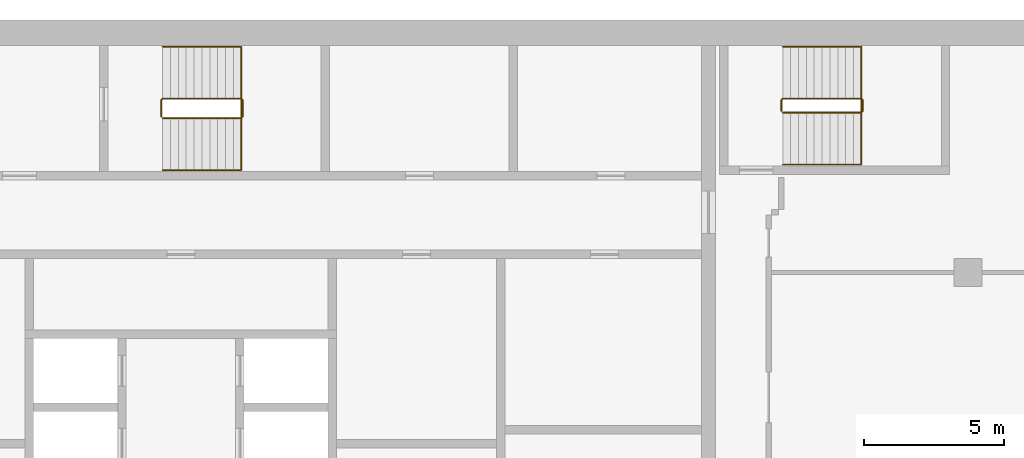
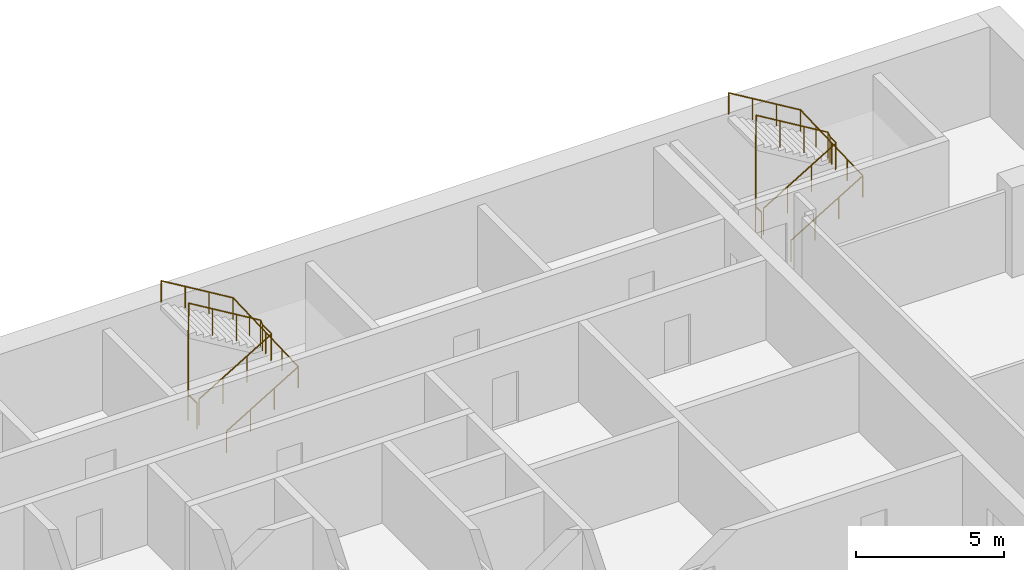
# One storey, part 16 of 16: 4 railings.
"""IFC4 building model written with IfcOpenShell, lengths in metres."""

from ifc_helpers import new_model, si_unit, direction, frame, origin, origin_2d, place, context, subcontext, project, spatial, circle, extrude, material, type_object, element, save


model = new_model("IFC4")

# Units and contexts
model_context = context("Model", 3, precision=1e-05, world=origin(), true_north=direction((0.0, 1.0)))
body_context = subcontext(model_context, "Body", "Model", "MODEL_VIEW")
ifc_project = project(units=[si_unit("LENGTHUNIT", "METRE"), si_unit("AREAUNIT", "SQUARE_METRE"), si_unit("VOLUMEUNIT", "CUBIC_METRE"), si_unit("PLANEANGLEUNIT", "RADIAN"), si_unit("MASSUNIT", "GRAM", prefix="KILO")], contexts=[model_context])

# Site, building, storey
site_placement = place(None, origin())
site = spatial("IfcSite", under=ifc_project, at=site_placement, CompositionType="ELEMENT")
building_placement = place(site_placement, origin())
building = spatial("IfcBuilding", under=site, at=building_placement, Name="Hunhe Ridgeline Campus", CompositionType="ELEMENT")
storey_placement = place(building_placement, frame((0.0, 0.0, 235.5)))
storey = spatial("IfcBuildingStorey", under=building, at=storey_placement, Name="L60", CompositionType="ELEMENT", Elevation=235.5)

# Railings
ifc_material_1 = material(Name="Stainless steel balustrade", Category="steel")
railing_type_1 = type_object("IfcRailingType", Name="Stair guard 1100 stainless", PredefinedType="GUARDRAIL", material=ifc_material_1)
railing_1_placement = place(storey_placement, frame((16.300048828125, 95.5, 0.168212890625)))
element("IfcRailing", 1, at=railing_1_placement, inside=storey, type_object=railing_type_1, Name="L60 stair S1 guard", PredefinedType="GUARDRAIL", context=body_context, shape_type="SweptSolid", body=[
    extrude(circle(Radius=0.02392578125, at=origin_2d()), frame((0.0, 0.0, 1.076171875), z_axis=(0.857242210791, 0.0, 0.514913383045), x_axis=(0.0, 1.0, 0.0)), (0.0, 0.0, 1.0), 3.266357421875),
    extrude(circle(Radius=0.02392578125, at=origin_2d()), frame((2.800048828125, 0.0, 2.7578125), z_axis=(0.705375805398, 0.708833529934, 0.0), x_axis=(-0.708833529934, 0.705375805398, 0.0)), (0.0, 0.0, 1.0), 0.070556640625),
    extrude(circle(Radius=0.02392578125, at=origin_2d()), frame((2.849853515625, 0.050048828125, 2.7578125), z_axis=(0.0, 1.0, 0.0), x_axis=(-1.0, 0.0, 0.0)), (0.0, 0.0, 1.0), 0.599853515625),
    extrude(circle(Radius=0.02392578125, at=origin_2d()), frame((2.849853515625, 0.64990234375, 2.7578125), z_axis=(-0.273343290215, 0.274683208305, 0.921863645432), x_axis=(-0.708833529934, -0.705375805398, 0.0)), (0.0, 0.0, 1.0), 0.18212890625),
    extrude(circle(Radius=0.02392578125, at=origin_2d()), frame((2.800048828125, 0.699951171875, 2.92578125), z_axis=(-0.857242210791, 0.0, 0.514913383045), x_axis=(0.0, -1.0, 0.0)), (0.0, 0.0, 1.0), 3.266357421875),
    extrude(circle(Radius=0.02392578125, at=origin_2d()), frame((0.0, 0.699951171875, 4.60791015625), z_axis=(-0.013524414389, -0.013524414389, -0.999817073484), x_axis=(0.707106781187, -0.707106781187, 0.0)), (0.0, 0.0, 1.0), 3.70068359375),
    extrude(circle(Radius=0.02392578125, at=origin_2d()), frame((-0.050048828125, 0.64990234375, 0.90771484375), z_axis=(0.0, -1.0, 0.0), x_axis=(1.0, 0.0, 0.0)), (0.0, 0.0, 1.0), 0.599853515625),
    extrude(circle(Radius=0.02099609375, at=origin_2d()), origin(), (0.0, 0.0, 1.0), 1.052001953125),
    extrude(circle(Radius=0.02099609375, at=origin_2d()), frame((0.933349609375, 0.0, 0.560546875)), (0.0, 0.0, 1.0), 1.052001953125),
    extrude(circle(Radius=0.02099609375, at=origin_2d()), frame((1.86669921875, 0.0, 1.121337890625)), (0.0, 0.0, 1.0), 1.052001953125),
    extrude(circle(Radius=0.02099609375, at=origin_2d()), frame((2.800048828125, 0.0, 1.681884765625)), (0.0, 0.0, 1.0), 1.052001953125),
    extrude(circle(Radius=0.02099609375, at=origin_2d()), frame((2.849853515625, 0.050048828125, 1.681884765625)), (0.0, 0.0, 1.0), 1.052001953125),
    extrude(circle(Radius=0.02099609375, at=origin_2d()), frame((2.849853515625, 0.64990234375, 1.681884765625)), (0.0, 0.0, 1.0), 1.052001953125),
    extrude(circle(Radius=0.02099609375, at=origin_2d()), frame((2.800048828125, 0.699951171875, 1.849853515625)), (0.0, 0.0, 1.0), 1.052001953125),
    extrude(circle(Radius=0.02099609375, at=origin_2d()), frame((1.86669921875, 0.699951171875, 2.410400390625)), (0.0, 0.0, 1.0), 1.052001953125),
    extrude(circle(Radius=0.02099609375, at=origin_2d()), frame((0.933349609375, 0.699951171875, 2.97119140625)), (0.0, 0.0, 1.0), 1.052001953125),
    extrude(circle(Radius=0.02099609375, at=origin_2d()), frame((0.0, 0.699951171875, 3.53173828125)), (0.0, 0.0, 1.0), 1.052001953125),
    extrude(circle(Radius=0.02099609375, at=origin_2d()), frame((-0.012451171875, 0.6875, 2.606689453125)), (0.0, 0.0, 1.0), 1.052001953125),
    extrude(circle(Radius=0.02099609375, at=origin_2d()), frame((-0.02490234375, 0.6748046875, 1.681640625)), (0.0, 0.0, 1.0), 1.052001953125),
    extrude(circle(Radius=0.02099609375, at=origin_2d()), frame((-0.03759765625, 0.662353515625, 0.7568359375)), (0.0, 0.0, 1.0), 1.052001953125),
    extrude(circle(Radius=0.02099609375, at=origin_2d()), frame((-0.050048828125, 0.64990234375, -0.168212890625)), (0.0, 0.0, 1.0), 1.052001953125),
    extrude(circle(Radius=0.02099609375, at=origin_2d()), frame((-0.050048828125, 0.050048828125, -0.168212890625)), (0.0, 0.0, 1.0), 1.052001953125),
])
railing_2_placement = place(storey_placement, frame((38.39990234375, 95.699951171875, 0.168212890625)))
element("IfcRailing", 2, at=railing_2_placement, inside=storey, type_object=railing_type_1, Name="L60 stair E1 guard", PredefinedType="GUARDRAIL", context=body_context, shape_type="SweptSolid", body=[
    extrude(circle(Radius=0.02392578125, at=origin_2d()), frame((0.0, 0.0, 1.076171875), z_axis=(0.857242210791, 0.0, 0.514913383045), x_axis=(0.0, 1.0, 0.0)), (0.0, 0.0, 1.0), 3.266357421875),
    extrude(circle(Radius=0.02392578125, at=origin_2d()), frame((2.800048828125, 0.0, 2.7578125), z_axis=(0.707106781187, 0.707106781187, 0.0), x_axis=(-0.707106781187, 0.707106781187, 0.0)), (0.0, 0.0, 1.0), 0.07080078125),
    extrude(circle(Radius=0.02392578125, at=origin_2d()), frame((2.85009765625, 0.050048828125, 2.7578125), z_axis=(0.0, 1.0, 0.0), x_axis=(-1.0, 0.0, 0.0)), (0.0, 0.0, 1.0), 0.39990234375),
    extrude(circle(Radius=0.02392578125, at=origin_2d()), frame((2.85009765625, 0.449951171875, 2.7578125), z_axis=(-0.274582412415, 0.274582412415, 0.921525364591), x_axis=(-0.707106781187, -0.707106781187, 0.0)), (0.0, 0.0, 1.0), 0.182373046875),
    extrude(circle(Radius=0.02392578125, at=origin_2d()), frame((2.800048828125, 0.5, 2.92578125), z_axis=(-0.857242210791, 0.0, 0.514913383045), x_axis=(0.0, -1.0, 0.0)), (0.0, 0.0, 1.0), 3.266357421875),
    extrude(circle(Radius=0.02392578125, at=origin_2d()), frame((0.0, 0.5, 4.60791015625), z_axis=(-0.013458453615, -0.013524426427, -0.999817963389), x_axis=(0.708833529934, -0.705375805398, 0.0)), (0.0, 0.0, 1.0), 3.70068359375),
    extrude(circle(Radius=0.02392578125, at=origin_2d()), frame((-0.0498046875, 0.449951171875, 0.90771484375), z_axis=(0.0, -1.0, 0.0), x_axis=(1.0, 0.0, 0.0)), (0.0, 0.0, 1.0), 0.39990234375),
    extrude(circle(Radius=0.02099609375, at=origin_2d()), origin(), (0.0, 0.0, 1.0), 1.052001953125),
    extrude(circle(Radius=0.02099609375, at=origin_2d()), frame((0.933349609375, 0.0, 0.560546875)), (0.0, 0.0, 1.0), 1.052001953125),
    extrude(circle(Radius=0.02099609375, at=origin_2d()), frame((1.86669921875, 0.0, 1.121337890625)), (0.0, 0.0, 1.0), 1.052001953125),
    extrude(circle(Radius=0.02099609375, at=origin_2d()), frame((2.800048828125, 0.0, 1.681884765625)), (0.0, 0.0, 1.0), 1.052001953125),
    extrude(circle(Radius=0.02099609375, at=origin_2d()), frame((2.85009765625, 0.050048828125, 1.681884765625)), (0.0, 0.0, 1.0), 1.052001953125),
    extrude(circle(Radius=0.02099609375, at=origin_2d()), frame((2.85009765625, 0.449951171875, 1.681884765625)), (0.0, 0.0, 1.0), 1.052001953125),
    extrude(circle(Radius=0.02099609375, at=origin_2d()), frame((2.800048828125, 0.5, 1.849853515625)), (0.0, 0.0, 1.0), 1.052001953125),
    extrude(circle(Radius=0.02099609375, at=origin_2d()), frame((1.86669921875, 0.5, 2.410400390625)), (0.0, 0.0, 1.0), 1.052001953125),
    extrude(circle(Radius=0.02099609375, at=origin_2d()), frame((0.933349609375, 0.5, 2.97119140625)), (0.0, 0.0, 1.0), 1.052001953125),
    extrude(circle(Radius=0.02099609375, at=origin_2d()), frame((0.0, 0.5, 3.53173828125)), (0.0, 0.0, 1.0), 1.052001953125),
    extrude(circle(Radius=0.02099609375, at=origin_2d()), frame((-0.012451171875, 0.487548828125, 2.606689453125)), (0.0, 0.0, 1.0), 1.052001953125),
    extrude(circle(Radius=0.02099609375, at=origin_2d()), frame((-0.02490234375, 0.47509765625, 1.681640625)), (0.0, 0.0, 1.0), 1.052001953125),
    extrude(circle(Radius=0.02099609375, at=origin_2d()), frame((-0.037353515625, 0.46240234375, 0.7568359375)), (0.0, 0.0, 1.0), 1.052001953125),
    extrude(circle(Radius=0.02099609375, at=origin_2d()), frame((-0.0498046875, 0.449951171875, -0.168212890625)), (0.0, 0.0, 1.0), 1.052001953125),
    extrude(circle(Radius=0.02099609375, at=origin_2d()), frame((-0.0498046875, 0.050048828125, -0.168212890625)), (0.0, 0.0, 1.0), 1.052001953125),
])
ifc_material_2 = material(Name="Stainless steel handrail", Category="steel")
railing_type_2 = type_object("IfcRailingType", Name="Stair handrail 900 stainless", PredefinedType="HANDRAIL", material=ifc_material_2)
railing_3_placement = place(storey_placement, frame((16.300048828125, 93.64990234375, 0.168212890625)))
element("IfcRailing", 3, at=railing_3_placement, inside=storey, type_object=railing_type_2, Name="L60 stair S1 handrail", PredefinedType="HANDRAIL", context=body_context, shape_type="SweptSolid", body=[
    extrude(circle(Radius=0.02392578125, at=origin_2d()), frame((0.0, 0.0, 0.8759765625), z_axis=(0.857242210791, 0.0, 0.514913383045), x_axis=(0.0, 1.0, 0.0)), (0.0, 0.0, 1.0), 3.266357421875),
    extrude(circle(Radius=0.02392578125, at=origin_2d()), frame((2.800048828125, 0.0, 2.5576171875), z_axis=(0.0, 0.999272189381, 0.038145662004), x_axis=(-1.0, 0.0, 0.0)), (0.0, 0.0, 1.0), 4.4033203125),
    extrude(circle(Radius=0.02392578125, at=origin_2d()), frame((2.800048828125, 4.400146484375, 2.7255859375), z_axis=(-0.857242210791, 0.0, 0.514913383045), x_axis=(0.0, -1.0, 0.0)), (0.0, 0.0, 1.0), 3.266357421875),
    extrude(circle(Radius=0.02099609375, at=origin_2d()), origin(), (0.0, 0.0, 1.0), 0.851806640625),
    extrude(circle(Radius=0.02099609375, at=origin_2d()), frame((0.933349609375, 0.0, 0.560546875)), (0.0, 0.0, 1.0), 0.851806640625),
    extrude(circle(Radius=0.02099609375, at=origin_2d()), frame((1.86669921875, 0.0, 1.121337890625)), (0.0, 0.0, 1.0), 0.851806640625),
    extrude(circle(Radius=0.02099609375, at=origin_2d()), frame((2.800048828125, 0.0, 1.681884765625)), (0.0, 0.0, 1.0), 0.851806640625),
    extrude(circle(Radius=0.02099609375, at=origin_2d()), frame((2.800048828125, 1.10009765625, 1.723876953125)), (0.0, 0.0, 1.0), 0.851806640625),
    extrude(circle(Radius=0.02099609375, at=origin_2d()), frame((2.800048828125, 2.2001953125, 1.765869140625)), (0.0, 0.0, 1.0), 0.851806640625),
    extrude(circle(Radius=0.02099609375, at=origin_2d()), frame((2.800048828125, 3.300048828125, 1.807861328125)), (0.0, 0.0, 1.0), 0.851806640625),
    extrude(circle(Radius=0.02099609375, at=origin_2d()), frame((2.800048828125, 4.400146484375, 1.849853515625)), (0.0, 0.0, 1.0), 0.851806640625),
    extrude(circle(Radius=0.02099609375, at=origin_2d()), frame((1.86669921875, 4.400146484375, 2.410400390625)), (0.0, 0.0, 1.0), 0.851806640625),
    extrude(circle(Radius=0.02099609375, at=origin_2d()), frame((0.933349609375, 4.400146484375, 2.97119140625)), (0.0, 0.0, 1.0), 0.851806640625),
    extrude(circle(Radius=0.02099609375, at=origin_2d()), frame((0.0, 4.400146484375, 3.53173828125)), (0.0, 0.0, 1.0), 0.851806640625),
])
railing_4_placement = place(storey_placement, frame((38.39990234375, 93.85009765625, 0.168212890625)))
element("IfcRailing", 4, at=railing_4_placement, inside=storey, type_object=railing_type_2, Name="L60 stair E1 handrail", PredefinedType="HANDRAIL", context=body_context, shape_type="SweptSolid", body=[
    extrude(circle(Radius=0.02392578125, at=origin_2d()), frame((0.0, 0.0, 0.8759765625), z_axis=(0.857242210791, 0.0, 0.514913383045), x_axis=(0.0, 1.0, 0.0)), (0.0, 0.0, 1.0), 3.266357421875),
    extrude(circle(Radius=0.02392578125, at=origin_2d()), frame((2.800048828125, 0.0, 2.5576171875), z_axis=(0.0, 0.99920123705, 0.039961079526), x_axis=(-1.0, 0.0, 0.0)), (0.0, 0.0, 1.0), 4.203369140625),
    extrude(circle(Radius=0.02392578125, at=origin_2d()), frame((2.800048828125, 4.199951171875, 2.7255859375), z_axis=(-0.857242210791, 0.0, 0.514913383045), x_axis=(0.0, -1.0, 0.0)), (0.0, 0.0, 1.0), 3.266357421875),
    extrude(circle(Radius=0.02099609375, at=origin_2d()), origin(), (0.0, 0.0, 1.0), 0.851806640625),
    extrude(circle(Radius=0.02099609375, at=origin_2d()), frame((0.933349609375, 0.0, 0.560546875)), (0.0, 0.0, 1.0), 0.851806640625),
    extrude(circle(Radius=0.02099609375, at=origin_2d()), frame((1.86669921875, 0.0, 1.121337890625)), (0.0, 0.0, 1.0), 0.851806640625),
    extrude(circle(Radius=0.02099609375, at=origin_2d()), frame((2.800048828125, 0.0, 1.681884765625)), (0.0, 0.0, 1.0), 0.851806640625),
    extrude(circle(Radius=0.02099609375, at=origin_2d()), frame((2.800048828125, 1.050048828125, 1.723876953125)), (0.0, 0.0, 1.0), 0.851806640625),
    extrude(circle(Radius=0.02099609375, at=origin_2d()), frame((2.800048828125, 2.10009765625, 1.765869140625)), (0.0, 0.0, 1.0), 0.851806640625),
    extrude(circle(Radius=0.02099609375, at=origin_2d()), frame((2.800048828125, 3.14990234375, 1.807861328125)), (0.0, 0.0, 1.0), 0.851806640625),
    extrude(circle(Radius=0.02099609375, at=origin_2d()), frame((2.800048828125, 4.199951171875, 1.849853515625)), (0.0, 0.0, 1.0), 0.851806640625),
    extrude(circle(Radius=0.02099609375, at=origin_2d()), frame((1.86669921875, 4.199951171875, 2.410400390625)), (0.0, 0.0, 1.0), 0.851806640625),
    extrude(circle(Radius=0.02099609375, at=origin_2d()), frame((0.933349609375, 4.199951171875, 2.97119140625)), (0.0, 0.0, 1.0), 0.851806640625),
    extrude(circle(Radius=0.02099609375, at=origin_2d()), frame((0.0, 4.199951171875, 3.53173828125)), (0.0, 0.0, 1.0), 0.851806640625),
])

save(model, "model.ifc")
